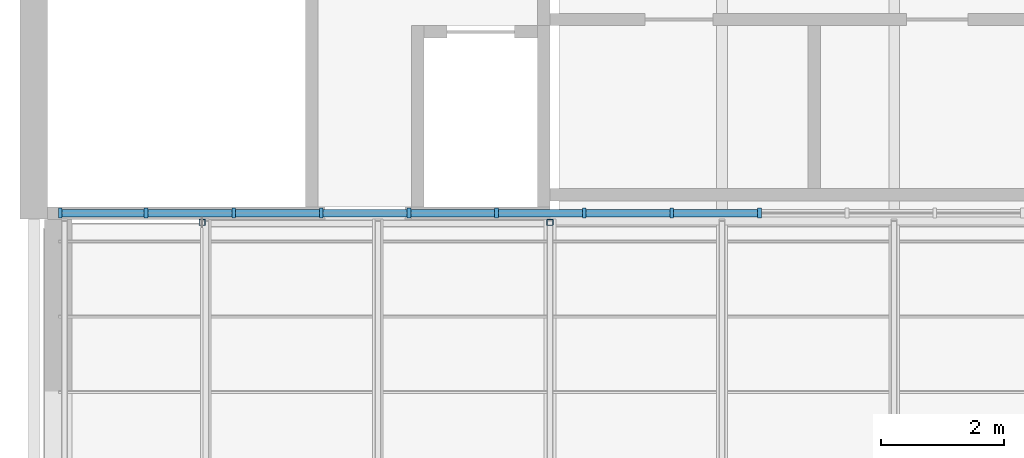
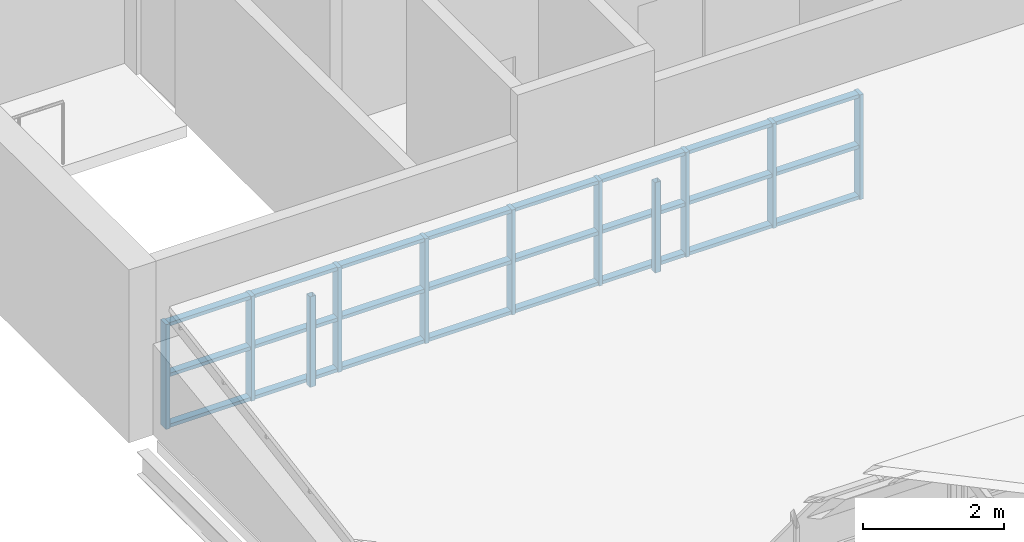
# One storey, part 7 of 33: 35 members, 1 element without a shape of its own.
"""IFC4 building model written with IfcOpenShell, lengths in metres."""

from ifc_helpers import new_model, si_unit, direction, frame, origin, origin_2d, place, context, subcontext, project, spatial, rectangle, hollow_rectangle, extrude, material, layer, layer_set, material_profile, profile_set, type_object, element, aggregate, save


model = new_model("IFC4")

# Units and contexts
model_context = context("Model", 3, precision=1e-05, world=origin(), true_north=direction((0.0, 1.0)))
body_context = subcontext(model_context, "Body", "Model", "MODEL_VIEW")
ifc_project = project(units=[si_unit("LENGTHUNIT", "METRE"), si_unit("AREAUNIT", "SQUARE_METRE"), si_unit("VOLUMEUNIT", "CUBIC_METRE"), si_unit("PLANEANGLEUNIT", "RADIAN"), si_unit("MASSUNIT", "GRAM", prefix="KILO")], contexts=[model_context])

# Site, building, storey
site_placement = place(None, origin())
site = spatial("IfcSite", under=ifc_project, at=site_placement, CompositionType="ELEMENT")
building_placement = place(site_placement, origin())
building = spatial("IfcBuilding", under=site, at=building_placement, Name="Ardhachandra Cancer Care Centre", CompositionType="ELEMENT")
storey_placement = place(building_placement, frame((0.0, 0.0, 27.0)))
storey = spatial("IfcBuildingStorey", under=building, at=storey_placement, Name="Roof", CompositionType="ELEMENT", Elevation=27.0)

# Curtain wall, members
ifc_material_1 = material(Name="Aluminium extrusion", Category="aluminium")
ifc_layer = layer(ifc_material_1, 0.14990234375)
ifc_layer_set = layer_set([ifc_layer], Name="Aluminium extrusion")
curtain_wall_type = type_object("IfcCurtainWallType", Name="Curtain wall run", PredefinedType="NOTDEFINED", material=ifc_layer_set)
curtain_wall_placement = place(storey_placement, origin())
curtain_wall = element("IfcCurtainWall", 1, at=curtain_wall_placement, inside=storey, type_object=curtain_wall_type, Name="Curtain wall Roof n/0112000_0096700", PredefinedType="NOTDEFINED")
ifc_material_2 = material(Name="Aluminium extrusion", Category="aluminium")
ifc_material_profile_1 = material_profile(ifc_material_2, rectangle(XDim=0.159912109375, YDim=0.06005859375, at=origin_2d()), Name="Curtain wall mullion 60 x 160")
ifc_profile_set_1 = profile_set([ifc_material_profile_1], Name="Aluminium extrusion")
member_type_1 = type_object("IfcMemberType", Name="Curtain wall mullion 60 x 160", PredefinedType="MULLION", material=ifc_profile_set_1)
member_1_placement = place(storey_placement, frame((112.030029296875, 96.699951171875, 0.0), z_axis=(0.0, 0.0, 1.0), x_axis=(0.0, 1.0, 0.0)))
member_1 = element("IfcMember", 2, at=member_1_placement, type_object=member_type_1, Name="CW mullion 1", PredefinedType="MULLION", context=body_context, shape_type="SweptSolid", body=[
    extrude(rectangle(XDim=0.159912109375, YDim=0.06005859375, at=origin_2d()), origin(), (0.0, 0.0, 1.0), 1.820068359375),
])
member_2_placement = place(storey_placement, frame((113.426025390625, 96.699951171875, 0.0), z_axis=(0.0, 0.0, 1.0), x_axis=(0.0, 1.0, 0.0)))
member_2 = element("IfcMember", 3, at=member_2_placement, type_object=member_type_1, Name="CW mullion 2", PredefinedType="MULLION", context=body_context, shape_type="SweptSolid", body=[
    extrude(rectangle(XDim=0.159912109375, YDim=0.06005859375, at=origin_2d()), origin(), (0.0, 0.0, 1.0), 1.820068359375),
])
member_3_placement = place(storey_placement, frame((114.852294921875, 96.699951171875, 0.0), z_axis=(0.0, 0.0, 1.0), x_axis=(0.0, 1.0, 0.0)))
member_3 = element("IfcMember", 4, at=member_3_placement, type_object=member_type_1, Name="CW mullion 3", PredefinedType="MULLION", context=body_context, shape_type="SweptSolid", body=[
    extrude(rectangle(XDim=0.159912109375, YDim=0.06005859375, at=origin_2d()), origin(), (0.0, 0.0, 1.0), 1.820068359375),
])
member_4_placement = place(storey_placement, frame((116.2783203125, 96.699951171875, 0.0), z_axis=(0.0, 0.0, 1.0), x_axis=(0.0, 1.0, 0.0)))
member_4 = element("IfcMember", 5, at=member_4_placement, type_object=member_type_1, Name="CW mullion 4", PredefinedType="MULLION", context=body_context, shape_type="SweptSolid", body=[
    extrude(rectangle(XDim=0.159912109375, YDim=0.06005859375, at=origin_2d()), origin(), (0.0, 0.0, 1.0), 1.820068359375),
])
member_5_placement = place(storey_placement, frame((117.704345703125, 96.699951171875, 0.0), z_axis=(0.0, 0.0, 1.0), x_axis=(0.0, 1.0, 0.0)))
member_5 = element("IfcMember", 6, at=member_5_placement, type_object=member_type_1, Name="CW mullion 5", PredefinedType="MULLION", context=body_context, shape_type="SweptSolid", body=[
    extrude(rectangle(XDim=0.159912109375, YDim=0.06005859375, at=origin_2d()), origin(), (0.0, 0.0, 1.0), 1.820068359375),
])
member_6_placement = place(storey_placement, frame((119.13037109375, 96.699951171875, 0.0), z_axis=(0.0, 0.0, 1.0), x_axis=(0.0, 1.0, 0.0)))
member_6 = element("IfcMember", 7, at=member_6_placement, type_object=member_type_1, Name="CW mullion 6", PredefinedType="MULLION", context=body_context, shape_type="SweptSolid", body=[
    extrude(rectangle(XDim=0.159912109375, YDim=0.06005859375, at=origin_2d()), origin(), (0.0, 0.0, 1.0), 1.820068359375),
])
member_7_placement = place(storey_placement, frame((120.556640625, 96.699951171875, 0.0), z_axis=(0.0, 0.0, 1.0), x_axis=(0.0, 1.0, 0.0)))
member_7 = element("IfcMember", 8, at=member_7_placement, type_object=member_type_1, Name="CW mullion 7", PredefinedType="MULLION", context=body_context, shape_type="SweptSolid", body=[
    extrude(rectangle(XDim=0.159912109375, YDim=0.06005859375, at=origin_2d()), origin(), (0.0, 0.0, 1.0), 1.820068359375),
])
member_8_placement = place(storey_placement, frame((121.982666015625, 96.699951171875, 0.0), z_axis=(0.0, 0.0, 1.0), x_axis=(0.0, 1.0, 0.0)))
member_8 = element("IfcMember", 9, at=member_8_placement, type_object=member_type_1, Name="CW mullion 8", PredefinedType="MULLION", context=body_context, shape_type="SweptSolid", body=[
    extrude(rectangle(XDim=0.159912109375, YDim=0.06005859375, at=origin_2d()), origin(), (0.0, 0.0, 1.0), 1.820068359375),
])
member_9_placement = place(storey_placement, frame((123.40869140625, 96.699951171875, 0.0), z_axis=(0.0, 0.0, 1.0), x_axis=(0.0, 1.0, 0.0)))
member_9 = element("IfcMember", 10, at=member_9_placement, type_object=member_type_1, Name="CW mullion 9", PredefinedType="MULLION", context=body_context, shape_type="SweptSolid", body=[
    extrude(rectangle(XDim=0.159912109375, YDim=0.06005859375, at=origin_2d()), origin(), (0.0, 0.0, 1.0), 1.820068359375),
])
ifc_material_3 = material(Name="Aluminium extrusion", Category="aluminium")
ifc_material_profile_2 = material_profile(ifc_material_3, rectangle(XDim=0.1201171875, YDim=0.06005859375, at=origin_2d()), Name="Curtain wall transom 60 x 120")
ifc_profile_set_2 = profile_set([ifc_material_profile_2], Name="Aluminium extrusion")
member_type_2 = type_object("IfcMemberType", Name="Curtain wall transom 60 x 120", PredefinedType="USERDEFINED", material=ifc_profile_set_2)
member_10_placement = place(storey_placement, frame((112.06005859375, 96.699951171875, 0.030029296875), z_axis=(1.0, 0.0, 0.0), x_axis=(0.0, 1.0, 0.0)))
member_10 = element("IfcMember", 11, at=member_10_placement, type_object=member_type_2, Name="CW transom 1.1", ObjectType="TRANSOM", PredefinedType="USERDEFINED", context=body_context, shape_type="SweptSolid", body=[
    extrude(rectangle(XDim=0.1201171875, YDim=0.06005859375, at=origin_2d()), origin(), (0.0, 0.0, 1.0), 1.3359375),
])
member_11_placement = place(storey_placement, frame((112.06005859375, 96.699951171875, 0.909912109375), z_axis=(1.0, 0.0, 0.0), x_axis=(0.0, 1.0, 0.0)))
member_11 = element("IfcMember", 12, at=member_11_placement, type_object=member_type_2, Name="CW transom 1.2", ObjectType="TRANSOM", PredefinedType="USERDEFINED", context=body_context, shape_type="SweptSolid", body=[
    extrude(rectangle(XDim=0.1201171875, YDim=0.06005859375, at=origin_2d()), origin(), (0.0, 0.0, 1.0), 1.3359375),
])
member_12_placement = place(storey_placement, frame((112.06005859375, 96.699951171875, 1.7900390625), z_axis=(1.0, 0.0, 0.0), x_axis=(0.0, 1.0, 0.0)))
member_12 = element("IfcMember", 13, at=member_12_placement, type_object=member_type_2, Name="CW transom 1.3", ObjectType="TRANSOM", PredefinedType="USERDEFINED", context=body_context, shape_type="SweptSolid", body=[
    extrude(rectangle(XDim=0.1201171875, YDim=0.06005859375, at=origin_2d()), origin(), (0.0, 0.0, 1.0), 1.3359375),
])
member_13_placement = place(storey_placement, frame((113.4560546875, 96.699951171875, 0.030029296875), z_axis=(1.0, 0.0, 0.0), x_axis=(0.0, 1.0, 0.0)))
member_13 = element("IfcMember", 14, at=member_13_placement, type_object=member_type_2, Name="CW transom 2.1", ObjectType="TRANSOM", PredefinedType="USERDEFINED", context=body_context, shape_type="SweptSolid", body=[
    extrude(rectangle(XDim=0.1201171875, YDim=0.06005859375, at=origin_2d()), origin(), (0.0, 0.0, 1.0), 1.3662109375),
])
member_14_placement = place(storey_placement, frame((113.4560546875, 96.699951171875, 0.909912109375), z_axis=(1.0, 0.0, 0.0), x_axis=(0.0, 1.0, 0.0)))
member_14 = element("IfcMember", 15, at=member_14_placement, type_object=member_type_2, Name="CW transom 2.2", ObjectType="TRANSOM", PredefinedType="USERDEFINED", context=body_context, shape_type="SweptSolid", body=[
    extrude(rectangle(XDim=0.1201171875, YDim=0.06005859375, at=origin_2d()), origin(), (0.0, 0.0, 1.0), 1.3662109375),
])
member_15_placement = place(storey_placement, frame((113.4560546875, 96.699951171875, 1.7900390625), z_axis=(1.0, 0.0, 0.0), x_axis=(0.0, 1.0, 0.0)))
member_15 = element("IfcMember", 16, at=member_15_placement, type_object=member_type_2, Name="CW transom 2.3", ObjectType="TRANSOM", PredefinedType="USERDEFINED", context=body_context, shape_type="SweptSolid", body=[
    extrude(rectangle(XDim=0.1201171875, YDim=0.06005859375, at=origin_2d()), origin(), (0.0, 0.0, 1.0), 1.3662109375),
])
member_16_placement = place(storey_placement, frame((114.882080078125, 96.699951171875, 0.030029296875), z_axis=(1.0, 0.0, 0.0), x_axis=(0.0, 1.0, 0.0)))
member_16 = element("IfcMember", 17, at=member_16_placement, type_object=member_type_2, Name="CW transom 3.1", ObjectType="TRANSOM", PredefinedType="USERDEFINED", context=body_context, shape_type="SweptSolid", body=[
    extrude(rectangle(XDim=0.1201171875, YDim=0.06005859375, at=origin_2d()), origin(), (0.0, 0.0, 1.0), 1.3662109375),
])
member_17_placement = place(storey_placement, frame((114.882080078125, 96.699951171875, 0.909912109375), z_axis=(1.0, 0.0, 0.0), x_axis=(0.0, 1.0, 0.0)))
member_17 = element("IfcMember", 18, at=member_17_placement, type_object=member_type_2, Name="CW transom 3.2", ObjectType="TRANSOM", PredefinedType="USERDEFINED", context=body_context, shape_type="SweptSolid", body=[
    extrude(rectangle(XDim=0.1201171875, YDim=0.06005859375, at=origin_2d()), origin(), (0.0, 0.0, 1.0), 1.3662109375),
])
member_18_placement = place(storey_placement, frame((114.882080078125, 96.699951171875, 1.7900390625), z_axis=(1.0, 0.0, 0.0), x_axis=(0.0, 1.0, 0.0)))
member_18 = element("IfcMember", 19, at=member_18_placement, type_object=member_type_2, Name="CW transom 3.3", ObjectType="TRANSOM", PredefinedType="USERDEFINED", context=body_context, shape_type="SweptSolid", body=[
    extrude(rectangle(XDim=0.1201171875, YDim=0.06005859375, at=origin_2d()), origin(), (0.0, 0.0, 1.0), 1.3662109375),
])
member_19_placement = place(storey_placement, frame((116.308349609375, 96.699951171875, 0.030029296875), z_axis=(1.0, 0.0, 0.0), x_axis=(0.0, 1.0, 0.0)))
member_19 = element("IfcMember", 20, at=member_19_placement, type_object=member_type_2, Name="CW transom 4.1", ObjectType="TRANSOM", PredefinedType="USERDEFINED", context=body_context, shape_type="SweptSolid", body=[
    extrude(rectangle(XDim=0.1201171875, YDim=0.06005859375, at=origin_2d()), origin(), (0.0, 0.0, 1.0), 1.365966796875),
])
member_20_placement = place(storey_placement, frame((116.308349609375, 96.699951171875, 0.909912109375), z_axis=(1.0, 0.0, 0.0), x_axis=(0.0, 1.0, 0.0)))
member_20 = element("IfcMember", 21, at=member_20_placement, type_object=member_type_2, Name="CW transom 4.2", ObjectType="TRANSOM", PredefinedType="USERDEFINED", context=body_context, shape_type="SweptSolid", body=[
    extrude(rectangle(XDim=0.1201171875, YDim=0.06005859375, at=origin_2d()), origin(), (0.0, 0.0, 1.0), 1.365966796875),
])
member_21_placement = place(storey_placement, frame((116.308349609375, 96.699951171875, 1.7900390625), z_axis=(1.0, 0.0, 0.0), x_axis=(0.0, 1.0, 0.0)))
member_21 = element("IfcMember", 22, at=member_21_placement, type_object=member_type_2, Name="CW transom 4.3", ObjectType="TRANSOM", PredefinedType="USERDEFINED", context=body_context, shape_type="SweptSolid", body=[
    extrude(rectangle(XDim=0.1201171875, YDim=0.06005859375, at=origin_2d()), origin(), (0.0, 0.0, 1.0), 1.365966796875),
])
member_22_placement = place(storey_placement, frame((117.734375, 96.699951171875, 0.030029296875), z_axis=(1.0, 0.0, 0.0), x_axis=(0.0, 1.0, 0.0)))
member_22 = element("IfcMember", 23, at=member_22_placement, type_object=member_type_2, Name="CW transom 5.1", ObjectType="TRANSOM", PredefinedType="USERDEFINED", context=body_context, shape_type="SweptSolid", body=[
    extrude(rectangle(XDim=0.1201171875, YDim=0.06005859375, at=origin_2d()), origin(), (0.0, 0.0, 1.0), 1.365966796875),
])
member_23_placement = place(storey_placement, frame((117.734375, 96.699951171875, 0.909912109375), z_axis=(1.0, 0.0, 0.0), x_axis=(0.0, 1.0, 0.0)))
member_23 = element("IfcMember", 24, at=member_23_placement, type_object=member_type_2, Name="CW transom 5.2", ObjectType="TRANSOM", PredefinedType="USERDEFINED", context=body_context, shape_type="SweptSolid", body=[
    extrude(rectangle(XDim=0.1201171875, YDim=0.06005859375, at=origin_2d()), origin(), (0.0, 0.0, 1.0), 1.365966796875),
])
member_24_placement = place(storey_placement, frame((117.734375, 96.699951171875, 1.7900390625), z_axis=(1.0, 0.0, 0.0), x_axis=(0.0, 1.0, 0.0)))
member_24 = element("IfcMember", 25, at=member_24_placement, type_object=member_type_2, Name="CW transom 5.3", ObjectType="TRANSOM", PredefinedType="USERDEFINED", context=body_context, shape_type="SweptSolid", body=[
    extrude(rectangle(XDim=0.1201171875, YDim=0.06005859375, at=origin_2d()), origin(), (0.0, 0.0, 1.0), 1.365966796875),
])
member_25_placement = place(storey_placement, frame((119.160400390625, 96.699951171875, 0.030029296875), z_axis=(1.0, 0.0, 0.0), x_axis=(0.0, 1.0, 0.0)))
member_25 = element("IfcMember", 26, at=member_25_placement, type_object=member_type_2, Name="CW transom 6.1", ObjectType="TRANSOM", PredefinedType="USERDEFINED", context=body_context, shape_type="SweptSolid", body=[
    extrude(rectangle(XDim=0.1201171875, YDim=0.06005859375, at=origin_2d()), origin(), (0.0, 0.0, 1.0), 1.3662109375),
])
member_26_placement = place(storey_placement, frame((119.160400390625, 96.699951171875, 0.909912109375), z_axis=(1.0, 0.0, 0.0), x_axis=(0.0, 1.0, 0.0)))
member_26 = element("IfcMember", 27, at=member_26_placement, type_object=member_type_2, Name="CW transom 6.2", ObjectType="TRANSOM", PredefinedType="USERDEFINED", context=body_context, shape_type="SweptSolid", body=[
    extrude(rectangle(XDim=0.1201171875, YDim=0.06005859375, at=origin_2d()), origin(), (0.0, 0.0, 1.0), 1.3662109375),
])
member_27_placement = place(storey_placement, frame((119.160400390625, 96.699951171875, 1.7900390625), z_axis=(1.0, 0.0, 0.0), x_axis=(0.0, 1.0, 0.0)))
member_27 = element("IfcMember", 28, at=member_27_placement, type_object=member_type_2, Name="CW transom 6.3", ObjectType="TRANSOM", PredefinedType="USERDEFINED", context=body_context, shape_type="SweptSolid", body=[
    extrude(rectangle(XDim=0.1201171875, YDim=0.06005859375, at=origin_2d()), origin(), (0.0, 0.0, 1.0), 1.3662109375),
])
member_28_placement = place(storey_placement, frame((120.58642578125, 96.699951171875, 0.030029296875), z_axis=(1.0, 0.0, 0.0), x_axis=(0.0, 1.0, 0.0)))
member_28 = element("IfcMember", 29, at=member_28_placement, type_object=member_type_2, Name="CW transom 7.1", ObjectType="TRANSOM", PredefinedType="USERDEFINED", context=body_context, shape_type="SweptSolid", body=[
    extrude(rectangle(XDim=0.1201171875, YDim=0.06005859375, at=origin_2d()), origin(), (0.0, 0.0, 1.0), 1.3662109375),
])
member_29_placement = place(storey_placement, frame((120.58642578125, 96.699951171875, 0.909912109375), z_axis=(1.0, 0.0, 0.0), x_axis=(0.0, 1.0, 0.0)))
member_29 = element("IfcMember", 30, at=member_29_placement, type_object=member_type_2, Name="CW transom 7.2", ObjectType="TRANSOM", PredefinedType="USERDEFINED", context=body_context, shape_type="SweptSolid", body=[
    extrude(rectangle(XDim=0.1201171875, YDim=0.06005859375, at=origin_2d()), origin(), (0.0, 0.0, 1.0), 1.3662109375),
])
member_30_placement = place(storey_placement, frame((120.58642578125, 96.699951171875, 1.7900390625), z_axis=(1.0, 0.0, 0.0), x_axis=(0.0, 1.0, 0.0)))
member_30 = element("IfcMember", 31, at=member_30_placement, type_object=member_type_2, Name="CW transom 7.3", ObjectType="TRANSOM", PredefinedType="USERDEFINED", context=body_context, shape_type="SweptSolid", body=[
    extrude(rectangle(XDim=0.1201171875, YDim=0.06005859375, at=origin_2d()), origin(), (0.0, 0.0, 1.0), 1.3662109375),
])
member_31_placement = place(storey_placement, frame((122.0126953125, 96.699951171875, 0.030029296875), z_axis=(1.0, 0.0, 0.0), x_axis=(0.0, 1.0, 0.0)))
member_31 = element("IfcMember", 32, at=member_31_placement, type_object=member_type_2, Name="CW transom 8.1", ObjectType="TRANSOM", PredefinedType="USERDEFINED", context=body_context, shape_type="SweptSolid", body=[
    extrude(rectangle(XDim=0.1201171875, YDim=0.06005859375, at=origin_2d()), origin(), (0.0, 0.0, 1.0), 1.365966796875),
])
member_32_placement = place(storey_placement, frame((122.0126953125, 96.699951171875, 0.909912109375), z_axis=(1.0, 0.0, 0.0), x_axis=(0.0, 1.0, 0.0)))
member_32 = element("IfcMember", 33, at=member_32_placement, type_object=member_type_2, Name="CW transom 8.2", ObjectType="TRANSOM", PredefinedType="USERDEFINED", context=body_context, shape_type="SweptSolid", body=[
    extrude(rectangle(XDim=0.1201171875, YDim=0.06005859375, at=origin_2d()), origin(), (0.0, 0.0, 1.0), 1.365966796875),
])
member_33_placement = place(storey_placement, frame((122.0126953125, 96.699951171875, 1.7900390625), z_axis=(1.0, 0.0, 0.0), x_axis=(0.0, 1.0, 0.0)))
member_33 = element("IfcMember", 34, at=member_33_placement, type_object=member_type_2, Name="CW transom 8.3", ObjectType="TRANSOM", PredefinedType="USERDEFINED", context=body_context, shape_type="SweptSolid", body=[
    extrude(rectangle(XDim=0.1201171875, YDim=0.06005859375, at=origin_2d()), origin(), (0.0, 0.0, 1.0), 1.365966796875),
])
aggregate(curtain_wall, [member_1, member_2, member_3, member_4, member_5, member_6, member_7, member_8, member_9, member_10, member_11, member_12, member_13, member_14, member_15, member_16, member_17, member_18, member_19, member_20, member_21, member_22, member_23, member_24, member_25, member_26, member_27, member_28, member_29, member_30, member_31, member_32, member_33])

# Members
ifc_material_4 = material(Name="Steel E350 (IS 2062)", Category="steel")
ifc_material_profile_3 = material_profile(ifc_material_4, hollow_rectangle(XDim=0.10009765625, YDim=0.10009765625, WallThickness=0.0048828125, InnerFilletRadius=0.0048828125, OuterFilletRadius=0.010009765625, at=origin_2d()), Name="SHS 100x100x5.0")
ifc_profile_set_3 = profile_set([ifc_material_profile_3], Name="Steel E350 (IS 2062)")
member_type_3 = type_object("IfcMemberType", Name="Sawtooth ridge post SHS 100x100x5.0", PredefinedType="POST", material=ifc_profile_set_3)
for number, where, z_axis, x_axis, name in (
    (35, (114.340087890625, 96.550048828125, 0.0), (0.0, 0.0, 1.0), (1.0, 0.0, 0.0), "Ridge post ST2a.1"),
    (36, (120.0, 96.550048828125, 0.0), (0.0, 0.0, 1.0), (1.0, 0.0, 0.0), "Ridge post ST2a.2"),
):
    element("IfcMember", number, at=place(storey_placement, frame(where, z_axis=z_axis, x_axis=x_axis)), inside=storey, type_object=member_type_3, Name=name, PredefinedType="POST", context=body_context, shape_type="SweptSolid", body=[
        extrude(hollow_rectangle(XDim=0.10009765625, YDim=0.10009765625, WallThickness=0.0048828125, InnerFilletRadius=0.0048828125, OuterFilletRadius=0.010009765625, at=origin_2d()), origin(), (0.0, 0.0, 1.0), 1.570068359375),
    ])

save(model, "model.ifc")
